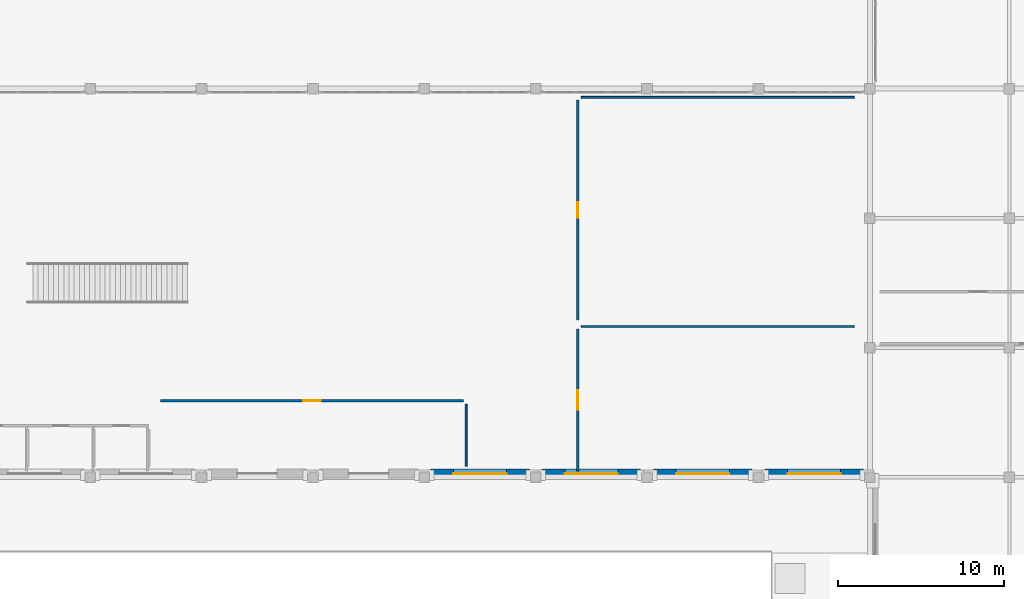
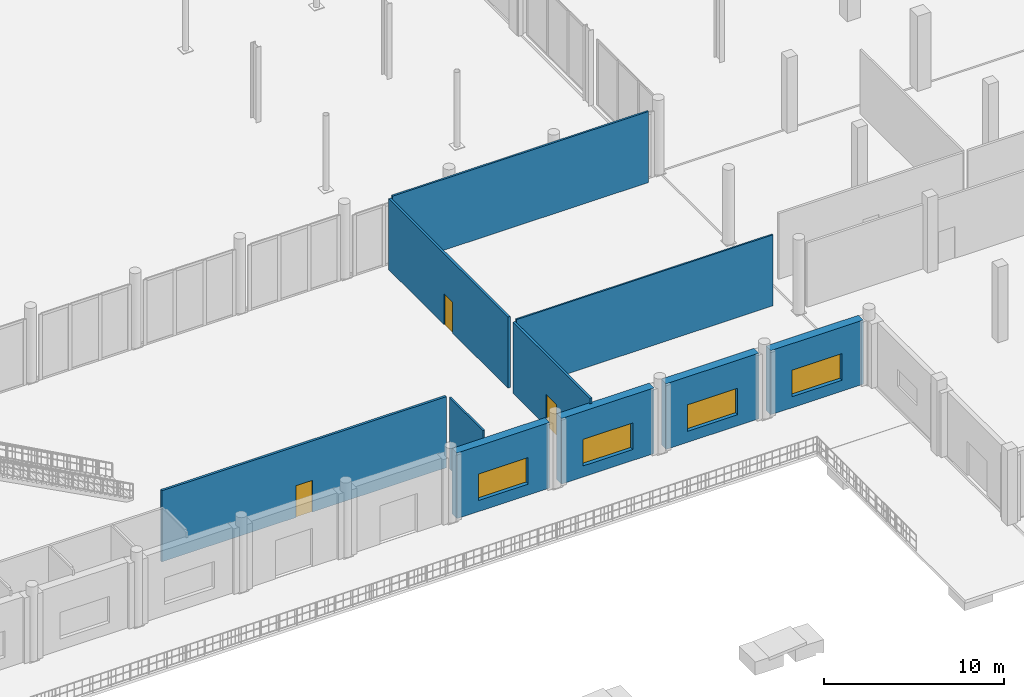
# One storey, part 49 of 80: 10 walls, 4 windows, 3 doors, 7 openings.
"""IFC4 building model written with IfcOpenShell, lengths in metres."""

from ifc_helpers import new_model, si_unit, direction, frame, frame_2d, origin, place, context, subcontext, project, spatial, rectangle, extrude, material, layer, layer_set, type_object, element, fill, save


model = new_model("IFC4")

# Units and contexts
model_context = context("Model", 3, precision=1e-05, world=origin(), true_north=direction((0.0, 1.0)))
body_context = subcontext(model_context, "Body", "Model", "MODEL_VIEW")
ifc_project = project(units=[si_unit("LENGTHUNIT", "METRE"), si_unit("AREAUNIT", "SQUARE_METRE"), si_unit("VOLUMEUNIT", "CUBIC_METRE"), si_unit("PLANEANGLEUNIT", "RADIAN"), si_unit("MASSUNIT", "GRAM", prefix="KILO")], contexts=[model_context])

# Site, building, storey
site_placement = place(None, origin())
site = spatial("IfcSite", under=ifc_project, at=site_placement, CompositionType="ELEMENT")
building_placement = place(site_placement, origin())
building = spatial("IfcBuilding", under=site, at=building_placement, Name="Nabrawat Pavilion Hospital", CompositionType="ELEMENT")
storey_placement = place(building_placement, origin())
storey = spatial("IfcBuildingStorey", under=building, at=storey_placement, Name="L00", CompositionType="ELEMENT", Elevation=0.0)

# Wall
ifc_material_1 = material(Name="Gypsum Plasterboard on Stud", Category="gypsum")
ifc_layer_1 = layer(ifc_material_1, 0.10009765625, Name="Gypsum Plasterboard on Stud")
ifc_layer_set_1 = layer_set([ifc_layer_1], Name="Gypsum Plasterboard on Stud")
wall_type_1 = type_object("IfcWallType", Name="Clean Utility Sub-Partition 100", PredefinedType="PARTITIONING", material=ifc_layer_set_1)
wall_1_placement = place(storey_placement, frame((108.6201171875, 24.679931640625, 0.0), z_axis=(0.0, 0.0, 1.0), x_axis=(1.0, 0.0, 0.0)))
element("IfcWall", 1, at=wall_1_placement, inside=storey, type_object=wall_type_1, Name="L00 Outpatient Dispensing Pharmacy Dividing Partition", PredefinedType="PARTITIONING", context=body_context, shape_type="SweptSolid", body=[
    extrude(rectangle(XDim=16.429931640625, YDim=0.10009765625, at=frame_2d((8.21484375, 0.0))), origin(), (0.0, 0.0, 1.0), 4.820068359375),
])

# Wall, opening, door
ifc_material_2 = material(Name="Gypsum Fireboard on Steel Stud", Category="steel")
ifc_layer_2 = layer(ifc_material_2, 0.14990234375, Name="Gypsum Fireboard on Steel Stud")
ifc_layer_set_2 = layer_set([ifc_layer_2], Name="Gypsum Fireboard on Steel Stud")
wall_type_2 = type_object("IfcWallType", Name="Clinical Corridor Smoke-Barrier Wall 150", PredefinedType="PARTITIONING", material=ifc_layer_set_2)
wall_2_placement = place(storey_placement, frame((108.39990234375, 25.080078125, 0.0), z_axis=(0.0, 0.0, 1.0), x_axis=(0.0, 1.0, 0.0)))
wall_2 = element("IfcWall", 2, at=wall_2_placement, inside=storey, type_object=wall_type_2, Name="L00 Patient Registration and Admissions Suite Front Partition", PredefinedType="PARTITIONING", context=body_context, shape_type="SweptSolid", body=[
    extrude(rectangle(XDim=13.239990234375, YDim=0.14990234375, at=frame_2d((6.6201171875, 0.0))), origin(), (0.0, 0.0, 1.0), 4.820068359375),
])
opening_1_placement = place(wall_2_placement, frame((6.14501953125, 0.0, 0.0)))
opening_1 = element("IfcOpeningElement", 3, at=opening_1_placement, cuts=wall_2, Name="Opening D-ADM", PredefinedType="OPENING", context=body_context, shape_type="SweptSolid", body=[
    extrude(rectangle(XDim=0.949951171875, YDim=2.10009765625, at=frame_2d((0.47509765625, 1.050048828125))), frame((0.0, 0.0849609375, 0.0), z_axis=(0.0, -1.0, 0.0), x_axis=(1.0, 0.0, 0.0)), (0.0, 0.0, 1.0), 0.169921875),
])
ifc_material_3 = material(Name="Stainless-Clad Acoustic Timber and Vision Glass", Category="wood")
door_type_1 = type_object("IfcDoorType", Name="Clinical Office Acoustic Door 950x2100", OperationType="NOTDEFINED", PredefinedType="DOOR", material=ifc_material_3)
door_1_placement = place(opening_1_placement, origin())
door_1 = element("IfcDoor", 4, at=door_1_placement, inside=storey, type_object=door_type_1, Name="Patient Registration and Admissions Suite Door", OperationType="SINGLE_SWING_LEFT", OverallHeight=2.10009765625, OverallWidth=0.949951171875, PredefinedType="DOOR", context=body_context, shape_type="SweptSolid", body=[
    extrude(rectangle(XDim=0.949951171875, YDim=2.10009765625, at=frame_2d((0.47509765625, 1.050048828125))), frame((0.0, 0.02490234375, 0.0), z_axis=(0.0, -1.0, 0.0), x_axis=(1.0, 0.0, 0.0)), (0.0, 0.0, 1.0), 0.050048828125),
])
fill(opening_1, door_1)

wall_3_placement = place(storey_placement, frame((108.39990234375, 15.97998046875, 0.0), z_axis=(0.0, 0.0, 1.0), x_axis=(0.0, 1.0, 0.0)))
wall_3 = element("IfcWall", 5, at=wall_3_placement, inside=storey, type_object=wall_type_2, Name="L00 Outpatient Dispensing Pharmacy Front Partition", PredefinedType="PARTITIONING", context=body_context, shape_type="SweptSolid", body=[
    extrude(rectangle(XDim=8.5400390625, YDim=0.14990234375, at=frame_2d((4.27001953125, 0.0))), origin(), (0.0, 0.0, 1.0), 4.820068359375),
])
opening_2_placement = place(wall_3_placement, frame((3.695068359375, 0.0, 0.0)))
opening_2 = element("IfcOpeningElement", 6, at=opening_2_placement, cuts=wall_3, Name="Opening D-PHM", PredefinedType="OPENING", context=body_context, shape_type="SweptSolid", body=[
    extrude(rectangle(XDim=1.14990234375, YDim=2.14990234375, at=frame_2d((0.574951171875, 1.074951171875))), frame((0.0, 0.0849609375, 0.0), z_axis=(0.0, -1.0, 0.0), x_axis=(1.0, 0.0, 0.0)), (0.0, 0.0, 1.0), 0.169921875),
])
door_type_2 = type_object("IfcDoorType", Name="Pharmacy Vault Security Fire Door 1150x2150", OperationType="NOTDEFINED", PredefinedType="DOOR", material=ifc_material_3)
door_2_placement = place(opening_2_placement, origin())
door_2 = element("IfcDoor", 7, at=door_2_placement, inside=storey, type_object=door_type_2, Name="Outpatient Dispensing Pharmacy Door", OperationType="SINGLE_SWING_RIGHT", OverallHeight=2.14990234375, OverallWidth=1.14990234375, PredefinedType="DOOR", context=body_context, shape_type="SweptSolid", body=[
    extrude(rectangle(XDim=1.14990234375, YDim=2.14990234375, at=frame_2d((0.574951171875, 1.074951171875))), frame((0.0, 0.02490234375, 0.0), z_axis=(0.0, -1.0, 0.0), x_axis=(1.0, 0.0, 0.0)), (0.0, 0.0, 1.0), 0.050048828125),
])
fill(opening_2, door_2)

wall_4_placement = place(storey_placement, frame((83.280029296875, 20.199951171875, 0.0), z_axis=(0.0, 0.0, 1.0), x_axis=(1.0, 0.0, 0.0)))
wall_4 = element("IfcWall", 8, at=wall_4_placement, inside=storey, type_object=wall_type_2, Name="L00 Hospital Staff Dining Room Front Partition", PredefinedType="PARTITIONING", context=body_context, shape_type="SweptSolid", body=[
    extrude(rectangle(XDim=18.239990234375, YDim=0.14990234375, at=frame_2d((9.1201171875, 0.0))), origin(), (0.0, 0.0, 1.0), 4.820068359375),
])
opening_3_placement = place(wall_4_placement, frame((8.594970703125, 0.0, 0.0)))
opening_3 = element("IfcOpeningElement", 9, at=opening_3_placement, cuts=wall_4, Name="Opening D-OPC-R", PredefinedType="OPENING", context=body_context, shape_type="SweptSolid", body=[
    extrude(rectangle(XDim=1.050048828125, YDim=2.14990234375, at=frame_2d((0.52490234375, 1.074951171875))), frame((0.0, 0.0849609375, 0.0), z_axis=(0.0, -1.0, 0.0), x_axis=(1.0, 0.0, 0.0)), (0.0, 0.0, 1.0), 0.169921875),
])
door_type_3 = type_object("IfcDoorType", Name="Outpatient Clinic Consultation Door R 1050x2150", OperationType="NOTDEFINED", PredefinedType="DOOR", material=ifc_material_3)
door_3_placement = place(opening_3_placement, origin())
door_3 = element("IfcDoor", 10, at=door_3_placement, inside=storey, type_object=door_type_3, Name="Hospital Staff Dining Room Door", OperationType="SINGLE_SWING_LEFT", OverallHeight=2.14990234375, OverallWidth=1.050048828125, PredefinedType="DOOR", context=body_context, shape_type="SweptSolid", body=[
    extrude(rectangle(XDim=1.050048828125, YDim=2.14990234375, at=frame_2d((0.52490234375, 1.074951171875))), frame((0.0, 0.02490234375, 0.0), z_axis=(0.0, -1.0, 0.0), x_axis=(1.0, 0.0, 0.0)), (0.0, 0.0, 1.0), 0.050048828125),
])
fill(opening_3, door_3)

# Walls
ifc_layer_3 = layer(ifc_material_1, 0.1201171875, Name="Gypsum Plasterboard on Stud")
ifc_layer_set_3 = layer_set([ifc_layer_3], Name="Gypsum Plasterboard on Stud")
wall_type_3 = type_object("IfcWallType", Name="Outpatient Consultation Partition 120", PredefinedType="PARTITIONING", material=ifc_layer_set_3)
wall_5_placement = place(storey_placement, frame((108.6201171875, 38.47998046875, 0.0), z_axis=(0.0, 0.0, 1.0), x_axis=(1.0, 0.0, 0.0)))
element("IfcWall", 11, at=wall_5_placement, inside=storey, type_object=wall_type_3, Name="L00 Patient Registration and Admissions Suite Dividing Partition", PredefinedType="PARTITIONING", context=body_context, shape_type="SweptSolid", body=[
    extrude(rectangle(XDim=16.429931640625, YDim=0.1201171875, at=frame_2d((8.21484375, 0.0))), origin(), (0.0, 0.0, 1.0), 4.820068359375),
])
wall_6_placement = place(storey_placement, frame((101.679931640625, 16.25, 0.0), z_axis=(0.0, 0.0, 1.0), x_axis=(0.0, 1.0, 0.0)))
element("IfcWall", 12, at=wall_6_placement, inside=storey, type_object=wall_type_3, Name="L00 Hospital Staff Dining Room Dividing Partition", PredefinedType="PARTITIONING", context=body_context, shape_type="SweptSolid", body=[
    extrude(rectangle(XDim=3.72998046875, YDim=0.1201171875, at=frame_2d((1.864990234375, 0.0))), origin(), (0.0, 0.0, 1.0), 4.820068359375),
])

# Wall, opening, window
ifc_material_4 = material(Name="Precast concrete C40/50", Category="concrete")
ifc_layer_4 = layer(ifc_material_4, 0.5400390625, Name="Precast concrete C40/50")
ifc_layer_set_4 = layer_set([ifc_layer_4], Name="Precast concrete C40/50")
wall_type_4 = type_object("IfcWallType", Name="Podium Monumental Limestone-Clad Wall 540", PredefinedType="SOLIDWALL", material=ifc_layer_set_4)
wall_7_placement = place(storey_placement, frame((99.552978515625, 15.820068359375, 0.0), z_axis=(0.0, 0.0, 1.0), x_axis=(1.0, 0.0, 0.0)))
wall_7 = element("IfcWall", 13, at=wall_7_placement, inside=storey, type_object=wall_type_4, Name="L00 Main Concourse Limestone Portal Wall 122", PredefinedType="SOLIDWALL", context=body_context, shape_type="SweptSolid", body=[
    extrude(rectangle(XDim=5.93798828125, YDim=0.5400390625, at=frame_2d((2.968994140625, 0.0))), origin(), (0.0, 0.0, 1.0), 4.449951171875),
])
opening_4_placement = place(wall_7_placement, frame((1.368896484375, 0.0, 0.75)))
opening_4 = element("IfcOpeningElement", 14, at=opening_4_placement, cuts=wall_7, Name="Opening WN-26", PredefinedType="OPENING", context=body_context, shape_type="SweptSolid", body=[
    extrude(rectangle(XDim=3.199951171875, YDim=1.800048828125, at=frame_2d((1.60009765625, 0.89990234375))), frame((0.0, 0.280029296875, 0.0), z_axis=(0.0, -1.0, 0.0), x_axis=(1.0, 0.0, 0.0)), (0.0, 0.0, 1.0), 0.56005859375),
])
ifc_material_5 = material(Name="Thermally Broken Aluminium and Solar Glass", Category="aluminium")
window_type = type_object("IfcWindowType", Name="Dayroom Picture Window 3200x1800", PartitioningType="SINGLE_PANEL", PredefinedType="WINDOW", material=ifc_material_5)
window_1_placement = place(opening_4_placement, origin())
window_1 = element("IfcWindow", 15, at=window_1_placement, inside=storey, type_object=window_type, Name="L00 Main Concourse Portal Window 034", OverallHeight=1.800048828125, OverallWidth=3.199951171875, PartitioningType="SINGLE_PANEL", PredefinedType="WINDOW", context=body_context, shape_type="SweptSolid", body=[
    extrude(rectangle(XDim=3.199951171875, YDim=1.800048828125, at=frame_2d((1.60009765625, 0.89990234375))), frame((0.0, 0.030029296875, 0.0), z_axis=(0.0, -1.0, 0.0), x_axis=(1.0, 0.0, 0.0)), (0.0, 0.0, 1.0), 0.06005859375),
])
fill(opening_4, window_1)

wall_8_placement = place(storey_placement, frame((106.260986328125, 15.820068359375, 0.0), z_axis=(0.0, 0.0, 1.0), x_axis=(1.0, 0.0, 0.0)))
wall_8 = element("IfcWall", 16, at=wall_8_placement, inside=storey, type_object=wall_type_4, Name="L00 Main Concourse Limestone Portal Wall 123", PredefinedType="SOLIDWALL", context=body_context, shape_type="SweptSolid", body=[
    extrude(rectangle(XDim=5.93798828125, YDim=0.5400390625, at=frame_2d((2.968994140625, 0.0))), origin(), (0.0, 0.0, 1.0), 4.449951171875),
])
opening_5_placement = place(wall_8_placement, frame((1.368896484375, 0.0, 0.75)))
opening_5 = element("IfcOpeningElement", 17, at=opening_5_placement, cuts=wall_8, Name="Opening WN-26", PredefinedType="OPENING", context=body_context, shape_type="SweptSolid", body=[
    extrude(rectangle(XDim=3.199951171875, YDim=1.800048828125, at=frame_2d((1.60009765625, 0.89990234375))), frame((0.0, 0.280029296875, 0.0), z_axis=(0.0, -1.0, 0.0), x_axis=(1.0, 0.0, 0.0)), (0.0, 0.0, 1.0), 0.56005859375),
])
window_2_placement = place(opening_5_placement, origin())
window_2 = element("IfcWindow", 18, at=window_2_placement, inside=storey, type_object=window_type, Name="L00 Main Concourse Portal Window 035", OverallHeight=1.800048828125, OverallWidth=3.199951171875, PartitioningType="SINGLE_PANEL", PredefinedType="WINDOW", context=body_context, shape_type="SweptSolid", body=[
    extrude(rectangle(XDim=3.199951171875, YDim=1.800048828125, at=frame_2d((1.60009765625, 0.89990234375))), frame((0.0, 0.030029296875, 0.0), z_axis=(0.0, -1.0, 0.0), x_axis=(1.0, 0.0, 0.0)), (0.0, 0.0, 1.0), 0.06005859375),
])
fill(opening_5, window_2)

wall_9_placement = place(storey_placement, frame((112.968994140625, 15.820068359375, 0.0), z_axis=(0.0, 0.0, 1.0), x_axis=(1.0, 0.0, 0.0)))
wall_9 = element("IfcWall", 19, at=wall_9_placement, inside=storey, type_object=wall_type_4, Name="L00 Main Concourse Limestone Portal Wall 124", PredefinedType="SOLIDWALL", context=body_context, shape_type="SweptSolid", body=[
    extrude(rectangle(XDim=5.93798828125, YDim=0.5400390625, at=frame_2d((2.968994140625, 0.0))), origin(), (0.0, 0.0, 1.0), 4.449951171875),
])
opening_6_placement = place(wall_9_placement, frame((1.368896484375, 0.0, 0.75)))
opening_6 = element("IfcOpeningElement", 20, at=opening_6_placement, cuts=wall_9, Name="Opening WN-26", PredefinedType="OPENING", context=body_context, shape_type="SweptSolid", body=[
    extrude(rectangle(XDim=3.199951171875, YDim=1.800048828125, at=frame_2d((1.60009765625, 0.89990234375))), frame((0.0, 0.280029296875, 0.0), z_axis=(0.0, -1.0, 0.0), x_axis=(1.0, 0.0, 0.0)), (0.0, 0.0, 1.0), 0.56005859375),
])
window_3_placement = place(opening_6_placement, origin())
window_3 = element("IfcWindow", 21, at=window_3_placement, inside=storey, type_object=window_type, Name="L00 Main Concourse Portal Window 036", OverallHeight=1.800048828125, OverallWidth=3.199951171875, PartitioningType="SINGLE_PANEL", PredefinedType="WINDOW", context=body_context, shape_type="SweptSolid", body=[
    extrude(rectangle(XDim=3.199951171875, YDim=1.800048828125, at=frame_2d((1.60009765625, 0.89990234375))), frame((0.0, 0.030029296875, 0.0), z_axis=(0.0, -1.0, 0.0), x_axis=(1.0, 0.0, 0.0)), (0.0, 0.0, 1.0), 0.06005859375),
])
fill(opening_6, window_3)

wall_10_placement = place(storey_placement, frame((119.677001953125, 15.820068359375, 0.0), z_axis=(0.0, 0.0, 1.0), x_axis=(1.0, 0.0, 0.0)))
wall_10 = element("IfcWall", 22, at=wall_10_placement, inside=storey, type_object=wall_type_4, Name="L00 Main Concourse Limestone Portal Wall 125", PredefinedType="SOLIDWALL", context=body_context, shape_type="SweptSolid", body=[
    extrude(rectangle(XDim=5.93798828125, YDim=0.5400390625, at=frame_2d((2.968994140625, 0.0))), origin(), (0.0, 0.0, 1.0), 4.35009765625),
])
opening_7_placement = place(wall_10_placement, frame((1.368896484375, 0.0, 0.75)))
opening_7 = element("IfcOpeningElement", 23, at=opening_7_placement, cuts=wall_10, Name="Opening WN-26", PredefinedType="OPENING", context=body_context, shape_type="SweptSolid", body=[
    extrude(rectangle(XDim=3.199951171875, YDim=1.800048828125, at=frame_2d((1.60009765625, 0.89990234375))), frame((0.0, 0.280029296875, 0.0), z_axis=(0.0, -1.0, 0.0), x_axis=(1.0, 0.0, 0.0)), (0.0, 0.0, 1.0), 0.56005859375),
])
window_4_placement = place(opening_7_placement, origin())
window_4 = element("IfcWindow", 24, at=window_4_placement, inside=storey, type_object=window_type, Name="L00 Main Concourse Portal Window 037", OverallHeight=1.800048828125, OverallWidth=3.199951171875, PartitioningType="SINGLE_PANEL", PredefinedType="WINDOW", context=body_context, shape_type="SweptSolid", body=[
    extrude(rectangle(XDim=3.199951171875, YDim=1.800048828125, at=frame_2d((1.60009765625, 0.89990234375))), frame((0.0, 0.030029296875, 0.0), z_axis=(0.0, -1.0, 0.0), x_axis=(1.0, 0.0, 0.0)), (0.0, 0.0, 1.0), 0.06005859375),
])
fill(opening_7, window_4)

save(model, "model.ifc")
